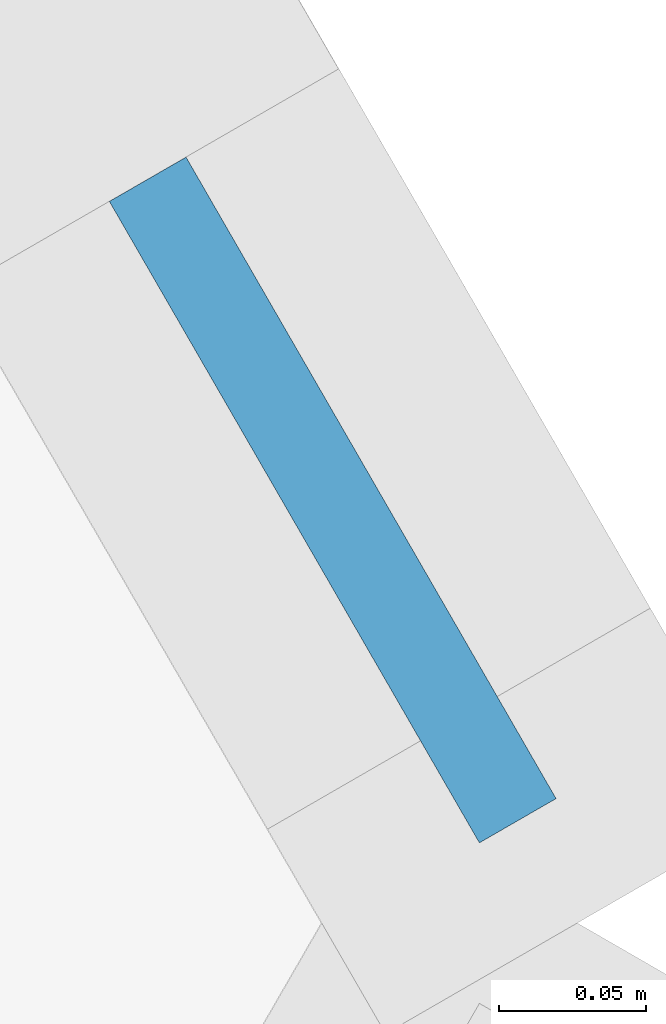
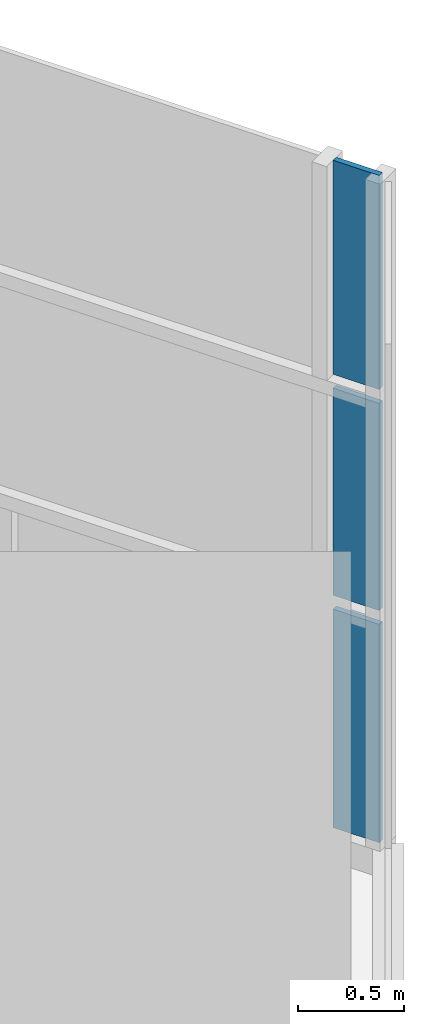
# One storey, part 19 of 26: 3 plates, 1 element without a shape of its own.
"""IFC4 building model written with IfcOpenShell, lengths in metres."""

from ifc_helpers import new_model, si_unit, direction, frame, origin, place, context, subcontext, project, spatial, polyline, outline, extrude, material, layer, layer_set, type_object, element, aggregate, save


model = new_model("IFC4")

# Units and contexts
model_context = context("Model", 3, precision=1e-05, world=origin(), true_north=direction((0.0, 1.0)))
body_context = subcontext(model_context, "Body", "Model", "MODEL_VIEW")
ifc_project = project(units=[si_unit("LENGTHUNIT", "METRE"), si_unit("AREAUNIT", "SQUARE_METRE"), si_unit("VOLUMEUNIT", "CUBIC_METRE"), si_unit("PLANEANGLEUNIT", "RADIAN"), si_unit("MASSUNIT", "GRAM", prefix="KILO")], contexts=[model_context])

# Site, building, storey
site_placement = place(None, origin())
site = spatial("IfcSite", under=ifc_project, at=site_placement, CompositionType="ELEMENT")
building_placement = place(site_placement, origin())
building = spatial("IfcBuilding", under=site, at=building_placement, Name="Firuza Gate Tower and Library", CompositionType="ELEMENT")
storey_placement = place(building_placement, frame((0.0, 0.0, 77.800048828125)))
storey = spatial("IfcBuildingStorey", under=building, at=storey_placement, Name="L17", CompositionType="ELEMENT", Elevation=77.800048828125)

# Curtain wall, plates
ifc_material_1 = material(Name="Aluminium 6063-T6", Category="aluminium")
ifc_layer_1 = layer(ifc_material_1, 0.14990234375)
ifc_layer_set_1 = layer_set([ifc_layer_1], Name="Unitised curtain wall, offices")
curtain_wall_type = type_object("IfcCurtainWallType", Name="Unitised curtain wall, offices", PredefinedType="NOTDEFINED", material=ifc_layer_set_1)
curtain_wall_placement = place(storey_placement, origin())
curtain_wall = element("IfcCurtainWall", 1, at=curtain_wall_placement, inside=storey, type_object=curtain_wall_type, Name="CW1 L17 E face", PredefinedType="NOTDEFINED")
ifc_material_2 = material(Name="Glazed ceramic tile")
ifc_layer_2 = layer(ifc_material_2, 0.030029296875)
ifc_layer_set_2 = layer_set([ifc_layer_2], Name="Opaque ceramic panel, offices")
plate_type = type_object("IfcPlateType", Name="Opaque ceramic panel, offices", PredefinedType="CURTAIN_PANEL", material=ifc_layer_set_2)
plate_1_placement = place(storey_placement, frame((107.135498046875, 60.691650390625, 0.14990234375), z_axis=(0.866201770413, 0.499694399542, 0.0), x_axis=(-0.499694399542, 0.866201770413, 0.0)))
plate_1 = element("IfcPlate", 2, at=plate_1_placement, type_object=plate_type, Name="Opaque ceramic panel", PredefinedType="CURTAIN_PANEL", context=body_context, shape_type="SweptSolid", body=[
    extrude(outline(polyline([(0.0, 0.0), (0.25113005341856437, 0.0), (0.25113005341856437, 1.260009765625), (0.0, 1.260009765625), (0.0, 0.0)])), origin(), (0.0, 0.0, -1.0), 0.030029296875),
])
plate_2_placement = place(storey_placement, frame((107.135498046875, 60.691650390625, 1.489990234375), z_axis=(0.866201770413, 0.499694399542, 0.0), x_axis=(-0.499694399542, 0.866201770413, 0.0)))
plate_2 = element("IfcPlate", 3, at=plate_2_placement, type_object=plate_type, Name="Opaque ceramic panel", PredefinedType="CURTAIN_PANEL", context=body_context, shape_type="SweptSolid", body=[
    extrude(outline(polyline([(0.0, 0.0), (0.25113005341856437, 0.0), (0.25113005341856437, 1.195068359375), (0.0, 1.195068359375), (0.0, 0.0)])), origin(), (0.0, 0.0, -1.0), 0.030029296875),
])
plate_3_placement = place(storey_placement, frame((107.135498046875, 60.691650390625, 2.764892578125), z_axis=(0.866201770413, 0.499694399542, 0.0), x_axis=(-0.499694399542, 0.866201770413, 0.0)))
plate_3 = element("IfcPlate", 4, at=plate_3_placement, type_object=plate_type, Name="Opaque ceramic panel", PredefinedType="CURTAIN_PANEL", context=body_context, shape_type="SweptSolid", body=[
    extrude(outline(polyline([(0.0, 0.0), (0.25113005341856437, 0.0), (0.25113005341856437, 1.235107421875), (0.0, 1.235107421875), (0.0, 0.0)])), origin(), (0.0, 0.0, -1.0), 0.030029296875),
])
aggregate(curtain_wall, [plate_1, plate_2, plate_3])

save(model, "model.ifc")
